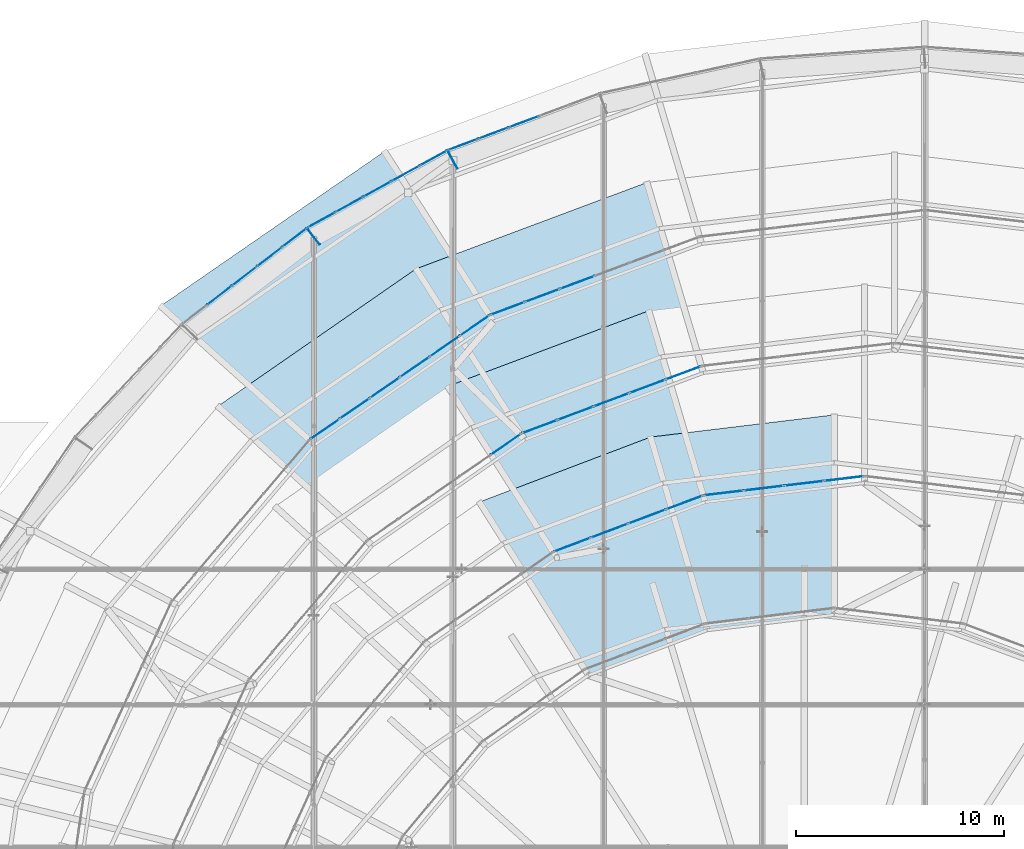
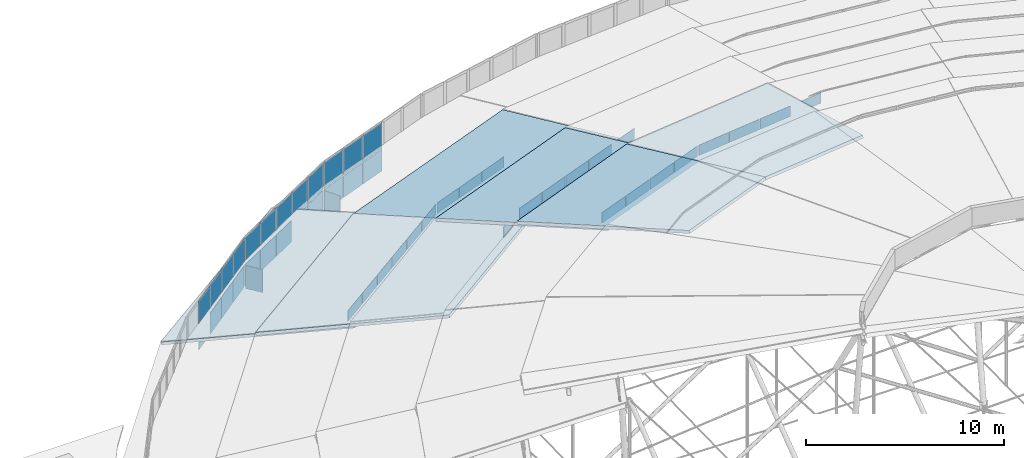
# One storey, part 156 of 173: 49 plates, 6 slabs, 13 elements without a shape of their own.
"""IFC4 building model written with IfcOpenShell, lengths in metres."""

from ifc_helpers import new_model, si_unit, direction, frame, origin, origin_2d, place, context, subcontext, project, spatial, polyline, rectangle, outline, extrude, material, layer, layer_set, type_object, element, aggregate, save


model = new_model("IFC4")

# Units and contexts
model_context = context("Model", 3, precision=1e-05, world=origin(), true_north=direction((0.0, 1.0)))
body_context = subcontext(model_context, "Body", "Model", "MODEL_VIEW")
ifc_project = project(units=[si_unit("LENGTHUNIT", "METRE"), si_unit("AREAUNIT", "SQUARE_METRE"), si_unit("VOLUMEUNIT", "CUBIC_METRE"), si_unit("PLANEANGLEUNIT", "RADIAN"), si_unit("MASSUNIT", "GRAM", prefix="KILO")], contexts=[model_context])

# Site, building, storey
site_placement = place(None, origin())
site = spatial("IfcSite", under=ifc_project, at=site_placement, CompositionType="ELEMENT")
building_placement = place(site_placement, origin())
building = spatial("IfcBuilding", under=site, at=building_placement, Name="Glasvene Arena", CompositionType="ELEMENT")
storey_placement = place(building_placement, frame((0.0, 0.0, 28.800048828125)))
storey = spatial("IfcBuildingStorey", under=building, at=storey_placement, Name="RF", CompositionType="ELEMENT", Elevation=28.800048828125)

# Curtain wall, plates
ifc_material_1 = material(Name="Low-emissivity laminated double glazing", Category="glass")
curtain_wall_type_1 = type_object("IfcCurtainWallType", Name="CW-PET1-1077x75", PredefinedType="USERDEFINED", material=ifc_material_1)
curtain_wall_1_placement = place(storey_placement, frame((81.16845703125, 109.415283203125, 0.0)))
curtain_wall_1 = element("IfcCurtainWall", 1, at=curtain_wall_1_placement, inside=storey, type_object=curtain_wall_type_1, Name="Petal ring 1-2 clerestory curtain wall 08", ObjectType="CURTAIN WALL", PredefinedType="USERDEFINED")
ifc_layer_1 = layer(ifc_material_1, 0.028076171875)
ifc_layer_set_1 = layer_set([ifc_layer_1], Name="Low-emissivity laminated double glazing")
plate_type_1 = type_object("IfcPlateType", Name="CW-GLZ-28", PredefinedType="CURTAIN_PANEL", material=ifc_layer_set_1)
plate_1_placement = place(storey_placement, frame((75.280517578125, 107.218505859375, 2.6298828125), z_axis=(0.0, 0.0, 1.0), x_axis=(-0.936902411354, -0.349591006176, 0.0)))
plate_1 = element("IfcPlate", 2, at=plate_1_placement, type_object=plate_type_1, Name="CW-085 panel 4.1", PredefinedType="CURTAIN_PANEL", context=body_context, shape_type="SweptSolid", body=[
    extrude(rectangle(XDim=1.74560546875, YDim=0.028076171875, at=origin_2d()), origin(), (0.0, 0.0, 1.0), 0.64990234375),
])
plate_2_placement = place(storey_placement, frame((73.598388671875, 106.5908203125, 2.6298828125), z_axis=(0.0, 0.0, 1.0), x_axis=(-0.936902411354, -0.349591006176, 0.0)))
plate_2 = element("IfcPlate", 3, at=plate_2_placement, type_object=plate_type_1, Name="CW-085 panel 5.1", PredefinedType="CURTAIN_PANEL", context=body_context, shape_type="SweptSolid", body=[
    extrude(rectangle(XDim=1.74560546875, YDim=0.028076171875, at=origin_2d()), origin(), (0.0, 0.0, 1.0), 0.64990234375),
])
plate_3_placement = place(storey_placement, frame((71.927734375, 105.967529296875, 2.6298828125), z_axis=(0.0, 0.0, 1.0), x_axis=(-0.936902411354, -0.349591006176, 0.0)))
plate_3 = element("IfcPlate", 4, at=plate_3_placement, type_object=plate_type_1, Name="CW-085 panel 6.1", PredefinedType="CURTAIN_PANEL", context=body_context, shape_type="SweptSolid", body=[
    extrude(rectangle(XDim=1.720458984375, YDim=0.028076171875, at=origin_2d()), origin(), (0.0, 0.0, 1.0), 0.64990234375),
])
aggregate(curtain_wall_1, [plate_1, plate_2, plate_3])

curtain_wall_type_2 = type_object("IfcCurtainWallType", Name="CW-PET1-1054x75", PredefinedType="USERDEFINED", material=ifc_material_1)
curtain_wall_2_placement = place(storey_placement, frame((71.074951171875, 105.649169921875, 0.0)))
curtain_wall_2 = element("IfcCurtainWall", 5, at=curtain_wall_2_placement, inside=storey, type_object=curtain_wall_type_2, Name="Petal ring 1-2 clerestory curtain wall 09", ObjectType="CURTAIN WALL", PredefinedType="USERDEFINED")
plate_4_placement = place(storey_placement, frame((70.342529296875, 105.142822265625, 2.6298828125), z_axis=(0.0, 0.0, 1.0), x_axis=(-0.822600954666, -0.568619089886, 0.0)))
plate_4 = element("IfcPlate", 6, at=plate_4_placement, type_object=plate_type_1, Name="CW-084 panel 1.1", PredefinedType="CURTAIN_PANEL", context=body_context, shape_type="SweptSolid", body=[
    extrude(rectangle(XDim=1.68115234375, YDim=0.028076171875, at=origin_2d()), origin(), (0.0, 0.0, 1.0), 0.64990234375),
])
plate_5_placement = place(storey_placement, frame((68.908203125, 104.1513671875, 2.6298828125), z_axis=(0.0, 0.0, 1.0), x_axis=(-0.822600954666, -0.568619089886, 0.0)))
plate_5 = element("IfcPlate", 7, at=plate_5_placement, type_object=plate_type_1, Name="CW-084 panel 2.1", PredefinedType="CURTAIN_PANEL", context=body_context, shape_type="SweptSolid", body=[
    extrude(rectangle(XDim=1.7060546875, YDim=0.028076171875, at=origin_2d()), origin(), (0.0, 0.0, 1.0), 0.64990234375),
])
plate_6_placement = place(storey_placement, frame((67.463623046875, 103.15283203125, 2.6298828125), z_axis=(0.0, 0.0, 1.0), x_axis=(-0.822600954666, -0.568619089886, 0.0)))
plate_6 = element("IfcPlate", 8, at=plate_6_placement, type_object=plate_type_1, Name="CW-084 panel 3.1", PredefinedType="CURTAIN_PANEL", context=body_context, shape_type="SweptSolid", body=[
    extrude(rectangle(XDim=1.7060546875, YDim=0.028076171875, at=origin_2d()), origin(), (0.0, 0.0, 1.0), 0.64990234375),
])
plate_7_placement = place(storey_placement, frame((66.01904296875, 102.154296875, 2.6298828125), z_axis=(0.0, 0.0, 1.0), x_axis=(-0.822600954666, -0.568619089886, 0.0)))
plate_7 = element("IfcPlate", 9, at=plate_7_placement, type_object=plate_type_1, Name="CW-084 panel 4.1", PredefinedType="CURTAIN_PANEL", context=body_context, shape_type="SweptSolid", body=[
    extrude(rectangle(XDim=1.7060546875, YDim=0.028076171875, at=origin_2d()), origin(), (0.0, 0.0, 1.0), 0.64990234375),
])
plate_8_placement = place(storey_placement, frame((64.574462890625, 101.15576171875, 2.6298828125), z_axis=(0.0, 0.0, 1.0), x_axis=(-0.822600954666, -0.568619089886, 0.0)))
plate_8 = element("IfcPlate", 10, at=plate_8_placement, type_object=plate_type_1, Name="CW-084 panel 5.1", PredefinedType="CURTAIN_PANEL", context=body_context, shape_type="SweptSolid", body=[
    extrude(rectangle(XDim=1.7060546875, YDim=0.028076171875, at=origin_2d()), origin(), (0.0, 0.0, 1.0), 0.64990234375),
])
plate_9_placement = place(storey_placement, frame((63.14013671875, 100.164306640625, 2.6298828125), z_axis=(0.0, 0.0, 1.0), x_axis=(-0.822600954666, -0.568619089886, 0.0)))
plate_9 = element("IfcPlate", 11, at=plate_9_placement, type_object=plate_type_1, Name="CW-084 panel 6.1", PredefinedType="CURTAIN_PANEL", context=body_context, shape_type="SweptSolid", body=[
    extrude(rectangle(XDim=1.68115234375, YDim=0.028076171875, at=origin_2d()), origin(), (0.0, 0.0, 1.0), 0.64990234375),
])
aggregate(curtain_wall_2, [plate_4, plate_5, plate_6, plate_7, plate_8, plate_9])

curtain_wall_type_3 = type_object("IfcCurtainWallType", Name="CW-PET2-925x75", PredefinedType="USERDEFINED", material=ifc_material_1)
curtain_wall_3_placement = place(storey_placement, frame((81.25830078125, 103.1943359375, 0.0)))
curtain_wall_3 = element("IfcCurtainWall", 12, at=curtain_wall_3_placement, inside=storey, type_object=curtain_wall_type_3, Name="Petal ring 2-3 clerestory curtain wall 08", ObjectType="CURTAIN WALL", PredefinedType="USERDEFINED")
plate_10_placement = place(storey_placement, frame((80.380859375, 102.86572265625, 5.22998046875), z_axis=(0.0, 0.0, 1.0), x_axis=(-0.936510409342, -0.350639776971, 0.0)))
plate_10 = element("IfcPlate", 13, at=plate_10_placement, type_object=plate_type_1, Name="CW-091 panel 1.1", PredefinedType="CURTAIN_PANEL", context=body_context, shape_type="SweptSolid", body=[
    extrude(rectangle(XDim=1.774169921875, YDim=0.028076171875, at=origin_2d()), origin(), (0.0, 0.0, 1.0), 0.64990234375),
])
plate_11_placement = place(storey_placement, frame((78.660888671875, 102.2216796875, 5.22998046875), z_axis=(0.0, 0.0, 1.0), x_axis=(-0.936510409342, -0.350639776971, 0.0)))
plate_11 = element("IfcPlate", 14, at=plate_11_placement, type_object=plate_type_1, Name="CW-091 panel 2.1", PredefinedType="CURTAIN_PANEL", context=body_context, shape_type="SweptSolid", body=[
    extrude(rectangle(XDim=1.799072265625, YDim=0.028076171875, at=origin_2d()), origin(), (0.0, 0.0, 1.0), 0.64990234375),
])
plate_12_placement = place(storey_placement, frame((76.92919921875, 101.573486328125, 5.22998046875), z_axis=(0.0, 0.0, 1.0), x_axis=(-0.936510409342, -0.350639776971, 0.0)))
plate_12 = element("IfcPlate", 15, at=plate_12_placement, type_object=plate_type_1, Name="CW-091 panel 3.1", PredefinedType="CURTAIN_PANEL", context=body_context, shape_type="SweptSolid", body=[
    extrude(rectangle(XDim=1.799072265625, YDim=0.028076171875, at=origin_2d()), origin(), (0.0, 0.0, 1.0), 0.64990234375),
])
plate_13_placement = place(storey_placement, frame((75.197509765625, 100.925048828125, 5.22998046875), z_axis=(0.0, 0.0, 1.0), x_axis=(-0.936510409342, -0.350639776971, 0.0)))
plate_13 = element("IfcPlate", 16, at=plate_13_placement, type_object=plate_type_1, Name="CW-091 panel 4.1", PredefinedType="CURTAIN_PANEL", context=body_context, shape_type="SweptSolid", body=[
    extrude(rectangle(XDim=1.799072265625, YDim=0.028076171875, at=origin_2d()), origin(), (0.0, 0.0, 1.0), 0.64990234375),
])
plate_14_placement = place(storey_placement, frame((73.4775390625, 100.281005859375, 5.22998046875), z_axis=(0.0, 0.0, 1.0), x_axis=(-0.936510409342, -0.350639776971, 0.0)))
plate_14 = element("IfcPlate", 17, at=plate_14_placement, type_object=plate_type_1, Name="CW-091 panel 5.1", PredefinedType="CURTAIN_PANEL", context=body_context, shape_type="SweptSolid", body=[
    extrude(rectangle(XDim=1.774169921875, YDim=0.028076171875, at=origin_2d()), origin(), (0.0, 0.0, 1.0), 0.64990234375),
])
aggregate(curtain_wall_3, [plate_10, plate_11, plate_12, plate_13, plate_14])

# Curtain wall, plate
curtain_wall_type_4 = type_object("IfcCurtainWallType", Name="CW-PET2-905x75", PredefinedType="USERDEFINED", material=ifc_material_1)
curtain_wall_4_placement = place(storey_placement, frame((72.60009765625, 99.952392578125, 0.0)))
curtain_wall_4 = element("IfcCurtainWall", 18, at=curtain_wall_4_placement, inside=storey, type_object=curtain_wall_type_4, Name="Petal ring 2-3 clerestory curtain wall 09", ObjectType="CURTAIN WALL", PredefinedType="USERDEFINED")
plate_15_placement = place(storey_placement, frame((71.84619140625, 99.4296875, 5.22998046875), z_axis=(0.0, 0.0, 1.0), x_axis=(-0.821699335018, -0.569921225109, 0.0)))
plate_15 = element("IfcPlate", 19, at=plate_15_placement, type_object=plate_type_1, Name="CW-090 panel 1.1", PredefinedType="CURTAIN_PANEL", context=body_context, shape_type="SweptSolid", body=[
    extrude(rectangle(XDim=1.734619140625, YDim=0.028076171875, at=origin_2d()), origin(), (0.0, 0.0, 1.0), 0.64990234375),
])
aggregate(curtain_wall_4, [plate_15])

# Curtain wall, plates
curtain_wall_type_5 = type_object("IfcCurtainWallType", Name="CW-PET3-781x75", PredefinedType="USERDEFINED", material=ifc_material_1)
curtain_wall_5_placement = place(storey_placement, frame((89.10009765625, 97.89990234375, 0.0)))
curtain_wall_5 = element("IfcCurtainWall", 20, at=curtain_wall_5_placement, inside=storey, type_object=curtain_wall_type_5, Name="Petal ring 3-4 clerestory curtain wall 07", ObjectType="CURTAIN WALL", PredefinedType="USERDEFINED")
plate_16_placement = place(storey_placement, frame((88.11865234375, 97.78271484375, 7.8798828125), z_axis=(0.0, 0.0, 1.0), x_axis=(-0.992928145056, -0.11871688488, 0.0)))
plate_16 = element("IfcPlate", 21, at=plate_16_placement, type_object=plate_type_1, Name="CW-098 panel 1.1", PredefinedType="CURTAIN_PANEL", context=body_context, shape_type="SweptSolid", body=[
    extrude(rectangle(XDim=1.876708984375, YDim=0.028076171875, at=origin_2d()), origin(), (0.0, 0.0, 1.0), 0.64990234375),
])
plate_17_placement = place(storey_placement, frame((86.193115234375, 97.552490234375, 7.8798828125), z_axis=(0.0, 0.0, 1.0), x_axis=(-0.992928145056, -0.11871688488, 0.0)))
plate_17 = element("IfcPlate", 22, at=plate_17_placement, type_object=plate_type_1, Name="CW-098 panel 2.1", PredefinedType="CURTAIN_PANEL", context=body_context, shape_type="SweptSolid", body=[
    extrude(rectangle(XDim=1.901611328125, YDim=0.028076171875, at=origin_2d()), origin(), (0.0, 0.0, 1.0), 0.64990234375),
])
plate_18_placement = place(storey_placement, frame((84.25537109375, 97.32080078125, 7.8798828125), z_axis=(0.0, 0.0, 1.0), x_axis=(-0.992928145056, -0.11871688488, 0.0)))
plate_18 = element("IfcPlate", 23, at=plate_18_placement, type_object=plate_type_1, Name="CW-098 panel 3.1", PredefinedType="CURTAIN_PANEL", context=body_context, shape_type="SweptSolid", body=[
    extrude(rectangle(XDim=1.901611328125, YDim=0.028076171875, at=origin_2d()), origin(), (0.0, 0.0, 1.0), 0.64990234375),
])
plate_19_placement = place(storey_placement, frame((82.329833984375, 97.090576171875, 7.8798828125), z_axis=(0.0, 0.0, 1.0), x_axis=(-0.992928145056, -0.11871688488, 0.0)))
plate_19 = element("IfcPlate", 24, at=plate_19_placement, type_object=plate_type_1, Name="CW-098 panel 4.1", PredefinedType="CURTAIN_PANEL", context=body_context, shape_type="SweptSolid", body=[
    extrude(rectangle(XDim=1.876708984375, YDim=0.028076171875, at=origin_2d()), origin(), (0.0, 0.0, 1.0), 0.64990234375),
])
aggregate(curtain_wall_5, [plate_16, plate_17, plate_18, plate_19])

curtain_wall_type_6 = type_object("IfcCurtainWallType", Name="CW-PET3-772x75", PredefinedType="USERDEFINED", material=ifc_material_1)
curtain_wall_6_placement = place(storey_placement, frame((81.348388671875, 96.97314453125, 0.0)))
curtain_wall_6 = element("IfcCurtainWall", 25, at=curtain_wall_6_placement, inside=storey, type_object=curtain_wall_type_6, Name="Petal ring 3-4 clerestory curtain wall 08", ObjectType="CURTAIN WALL", PredefinedType="USERDEFINED")
plate_20_placement = place(storey_placement, frame((80.433837890625, 96.629150390625, 7.8798828125), z_axis=(0.0, 0.0, 1.0), x_axis=(-0.93596551429, -0.352091687007, 0.0)))
plate_20 = element("IfcPlate", 26, at=plate_20_placement, type_object=plate_type_1, Name="CW-097 panel 1.1", PredefinedType="CURTAIN_PANEL", context=body_context, shape_type="SweptSolid", body=[
    extrude(rectangle(XDim=1.8544921875, YDim=0.028076171875, at=origin_2d()), origin(), (0.0, 0.0, 1.0), 0.64990234375),
])
plate_21_placement = place(storey_placement, frame((78.6396484375, 95.9541015625, 7.8798828125), z_axis=(0.0, 0.0, 1.0), x_axis=(-0.93596551429, -0.352091687007, 0.0)))
plate_21 = element("IfcPlate", 27, at=plate_21_placement, type_object=plate_type_1, Name="CW-097 panel 2.1", PredefinedType="CURTAIN_PANEL", context=body_context, shape_type="SweptSolid", body=[
    extrude(rectangle(XDim=1.87939453125, YDim=0.028076171875, at=origin_2d()), origin(), (0.0, 0.0, 1.0), 0.64990234375),
])
plate_22_placement = place(storey_placement, frame((76.833740234375, 95.27490234375, 7.8798828125), z_axis=(0.0, 0.0, 1.0), x_axis=(-0.93596551429, -0.352091687007, 0.0)))
plate_22 = element("IfcPlate", 28, at=plate_22_placement, type_object=plate_type_1, Name="CW-097 panel 3.1", PredefinedType="CURTAIN_PANEL", context=body_context, shape_type="SweptSolid", body=[
    extrude(rectangle(XDim=1.87939453125, YDim=0.028076171875, at=origin_2d()), origin(), (0.0, 0.0, 1.0), 0.64990234375),
])
plate_23_placement = place(storey_placement, frame((75.03955078125, 94.599853515625, 7.8798828125), z_axis=(0.0, 0.0, 1.0), x_axis=(-0.93596551429, -0.352091687007, 0.0)))
plate_23 = element("IfcPlate", 29, at=plate_23_placement, type_object=plate_type_1, Name="CW-097 panel 4.1", PredefinedType="CURTAIN_PANEL", context=body_context, shape_type="SweptSolid", body=[
    extrude(rectangle(XDim=1.8544921875, YDim=0.028076171875, at=origin_2d()), origin(), (0.0, 0.0, 1.0), 0.64990234375),
])
aggregate(curtain_wall_6, [plate_20, plate_21, plate_22, plate_23])

curtain_wall_type_7 = type_object("IfcCurtainWallType", Name="CW-DRUM-782x310", PredefinedType="USERDEFINED", material=ifc_material_1)
curtain_wall_7_placement = place(storey_placement, frame((76.379150390625, 116.320556640625, 0.0)))
curtain_wall_7 = element("IfcCurtainWall", 30, at=curtain_wall_7_placement, inside=storey, type_object=curtain_wall_type_7, Name="Crown compression-ring fascia curtain wall 13", ObjectType="CURTAIN WALL", PredefinedType="USERDEFINED")
ifc_material_2 = material(Name="Insulated shadow-box spandrel panel")
ifc_layer_2 = layer(ifc_material_2, 0.02392578125)
ifc_layer_set_2 = layer_set([ifc_layer_2], Name="Insulated shadow-box spandrel panel")
plate_type_2 = type_object("IfcPlateType", Name="CW-SPN-24", PredefinedType="CURTAIN_PANEL", material=ifc_layer_set_2)
plate_24_placement = place(storey_placement, frame((72.715087890625, 114.952880859375, -1.330078125), z_axis=(0.0, 0.0, 1.0), x_axis=(-0.936868153311, -0.349682803856, 0.0)))
plate_24 = element("IfcPlate", 31, at=plate_24_placement, type_object=plate_type_2, Name="CW-078 panel 3.1", PredefinedType="CURTAIN_PANEL", context=body_context, shape_type="SweptSolid", body=[
    extrude(rectangle(XDim=1.514404296875, YDim=0.02392578125, at=origin_2d()), origin(), (0.0, 0.0, 1.0), 1.324951171875),
])
plate_25_placement = place(storey_placement, frame((72.715087890625, 114.952880859375, 0.044921875), z_axis=(0.0, 0.0, 1.0), x_axis=(-0.936868153311, -0.349682803856, 0.0)))
plate_25 = element("IfcPlate", 32, at=plate_25_placement, type_object=plate_type_2, Name="CW-078 panel 3.2", PredefinedType="CURTAIN_PANEL", context=body_context, shape_type="SweptSolid", body=[
    extrude(rectangle(XDim=1.514404296875, YDim=0.02392578125, at=origin_2d()), origin(), (0.0, 0.0, 1.0), 1.625),
])
plate_26_placement = place(storey_placement, frame((71.249267578125, 114.406005859375, -1.330078125), z_axis=(0.0, 0.0, 1.0), x_axis=(-0.936868153311, -0.349682803856, 0.0)))
plate_26 = element("IfcPlate", 33, at=plate_26_placement, type_object=plate_type_2, Name="CW-078 panel 4.1", PredefinedType="CURTAIN_PANEL", context=body_context, shape_type="SweptSolid", body=[
    extrude(rectangle(XDim=1.514404296875, YDim=0.02392578125, at=origin_2d()), origin(), (0.0, 0.0, 1.0), 1.324951171875),
])
plate_27_placement = place(storey_placement, frame((71.249267578125, 114.406005859375, 0.044921875), z_axis=(0.0, 0.0, 1.0), x_axis=(-0.936868153311, -0.349682803856, 0.0)))
plate_27 = element("IfcPlate", 34, at=plate_27_placement, type_object=plate_type_2, Name="CW-078 panel 4.2", PredefinedType="CURTAIN_PANEL", context=body_context, shape_type="SweptSolid", body=[
    extrude(rectangle(XDim=1.514404296875, YDim=0.02392578125, at=origin_2d()), origin(), (0.0, 0.0, 1.0), 1.625),
])
plate_28_placement = place(storey_placement, frame((69.79541015625, 113.86328125, -1.330078125), z_axis=(0.0, 0.0, 1.0), x_axis=(-0.936868153311, -0.349682803856, 0.0)))
plate_28 = element("IfcPlate", 35, at=plate_28_placement, type_object=plate_type_2, Name="CW-078 panel 5.1", PredefinedType="CURTAIN_PANEL", context=body_context, shape_type="SweptSolid", body=[
    extrude(rectangle(XDim=1.489501953125, YDim=0.02392578125, at=origin_2d()), origin(), (0.0, 0.0, 1.0), 1.324951171875),
])
plate_29_placement = place(storey_placement, frame((69.79541015625, 113.86328125, 0.044921875), z_axis=(0.0, 0.0, 1.0), x_axis=(-0.936868153311, -0.349682803856, 0.0)))
plate_29 = element("IfcPlate", 36, at=plate_29_placement, type_object=plate_type_2, Name="CW-078 panel 5.2", PredefinedType="CURTAIN_PANEL", context=body_context, shape_type="SweptSolid", body=[
    extrude(rectangle(XDim=1.489501953125, YDim=0.02392578125, at=origin_2d()), origin(), (0.0, 0.0, 1.0), 1.625),
])
aggregate(curtain_wall_7, [plate_24, plate_25, plate_26, plate_27, plate_28, plate_29])

curtain_wall_type_8 = type_object("IfcCurtainWallType", Name="CW-DRUM-773x310", PredefinedType="USERDEFINED", material=ifc_material_1)
curtain_wall_8_placement = place(storey_placement, frame((69.05078125, 113.585205078125, 0.0)))
curtain_wall_8 = element("IfcCurtainWall", 37, at=curtain_wall_8_placement, inside=storey, type_object=curtain_wall_type_8, Name="Crown compression-ring fascia curtain wall 14", ObjectType="CURTAIN WALL", PredefinedType="USERDEFINED")
plate_30_placement = place(storey_placement, frame((68.363525390625, 113.205810546875, -1.330078125), z_axis=(0.0, 0.0, 1.0), x_axis=(-0.875406591103, -0.483387319086, 0.0)))
plate_30 = element("IfcPlate", 38, at=plate_30_placement, type_object=plate_type_2, Name="CW-077 panel 1.1", PredefinedType="CURTAIN_PANEL", context=body_context, shape_type="SweptSolid", body=[
    extrude(rectangle(XDim=1.47021484375, YDim=0.02392578125, at=origin_2d()), origin(), (0.0, 0.0, 1.0), 1.324951171875),
])
plate_31_placement = place(storey_placement, frame((68.363525390625, 113.205810546875, 0.044921875), z_axis=(0.0, 0.0, 1.0), x_axis=(-0.875406591103, -0.483387319086, 0.0)))
plate_31 = element("IfcPlate", 39, at=plate_31_placement, type_object=plate_type_2, Name="CW-077 panel 1.2", PredefinedType="CURTAIN_PANEL", context=body_context, shape_type="SweptSolid", body=[
    extrude(rectangle(XDim=1.47021484375, YDim=0.02392578125, at=origin_2d()), origin(), (0.0, 0.0, 1.0), 1.625),
])
plate_32_placement = place(storey_placement, frame((67.021728515625, 112.46484375, -1.330078125), z_axis=(0.0, 0.0, 1.0), x_axis=(-0.875406591103, -0.483387319086, 0.0)))
plate_32 = element("IfcPlate", 40, at=plate_32_placement, type_object=plate_type_2, Name="CW-077 panel 2.1", PredefinedType="CURTAIN_PANEL", context=body_context, shape_type="SweptSolid", body=[
    extrude(rectangle(XDim=1.4951171875, YDim=0.02392578125, at=origin_2d()), origin(), (0.0, 0.0, 1.0), 1.324951171875),
])
plate_33_placement = place(storey_placement, frame((67.021728515625, 112.46484375, 0.044921875), z_axis=(0.0, 0.0, 1.0), x_axis=(-0.875406591103, -0.483387319086, 0.0)))
plate_33 = element("IfcPlate", 41, at=plate_33_placement, type_object=plate_type_2, Name="CW-077 panel 2.2", PredefinedType="CURTAIN_PANEL", context=body_context, shape_type="SweptSolid", body=[
    extrude(rectangle(XDim=1.4951171875, YDim=0.02392578125, at=origin_2d()), origin(), (0.0, 0.0, 1.0), 1.625),
])
plate_34_placement = place(storey_placement, frame((65.669189453125, 111.718017578125, -1.330078125), z_axis=(0.0, 0.0, 1.0), x_axis=(-0.875406591103, -0.483387319086, 0.0)))
plate_34 = element("IfcPlate", 42, at=plate_34_placement, type_object=plate_type_2, Name="CW-077 panel 3.1", PredefinedType="CURTAIN_PANEL", context=body_context, shape_type="SweptSolid", body=[
    extrude(rectangle(XDim=1.4951171875, YDim=0.02392578125, at=origin_2d()), origin(), (0.0, 0.0, 1.0), 1.324951171875),
])
plate_35_placement = place(storey_placement, frame((65.669189453125, 111.718017578125, 0.044921875), z_axis=(0.0, 0.0, 1.0), x_axis=(-0.875406591103, -0.483387319086, 0.0)))
plate_35 = element("IfcPlate", 43, at=plate_35_placement, type_object=plate_type_2, Name="CW-077 panel 3.2", PredefinedType="CURTAIN_PANEL", context=body_context, shape_type="SweptSolid", body=[
    extrude(rectangle(XDim=1.4951171875, YDim=0.02392578125, at=origin_2d()), origin(), (0.0, 0.0, 1.0), 1.625),
])
plate_36_placement = place(storey_placement, frame((64.31640625, 110.97119140625, -1.330078125), z_axis=(0.0, 0.0, 1.0), x_axis=(-0.875406591103, -0.483387319086, 0.0)))
plate_36 = element("IfcPlate", 44, at=plate_36_placement, type_object=plate_type_2, Name="CW-077 panel 4.1", PredefinedType="CURTAIN_PANEL", context=body_context, shape_type="SweptSolid", body=[
    extrude(rectangle(XDim=1.4951171875, YDim=0.02392578125, at=origin_2d()), origin(), (0.0, 0.0, 1.0), 1.324951171875),
])
plate_37_placement = place(storey_placement, frame((64.31640625, 110.97119140625, 0.044921875), z_axis=(0.0, 0.0, 1.0), x_axis=(-0.875406591103, -0.483387319086, 0.0)))
plate_37 = element("IfcPlate", 45, at=plate_37_placement, type_object=plate_type_2, Name="CW-077 panel 4.2", PredefinedType="CURTAIN_PANEL", context=body_context, shape_type="SweptSolid", body=[
    extrude(rectangle(XDim=1.4951171875, YDim=0.02392578125, at=origin_2d()), origin(), (0.0, 0.0, 1.0), 1.625),
])
plate_38_placement = place(storey_placement, frame((62.974853515625, 110.230224609375, -1.330078125), z_axis=(0.0, 0.0, 1.0), x_axis=(-0.875406591103, -0.483387319086, 0.0)))
plate_38 = element("IfcPlate", 46, at=plate_38_placement, type_object=plate_type_2, Name="CW-077 panel 5.1", PredefinedType="CURTAIN_PANEL", context=body_context, shape_type="SweptSolid", body=[
    extrude(rectangle(XDim=1.47021484375, YDim=0.02392578125, at=origin_2d()), origin(), (0.0, 0.0, 1.0), 1.324951171875),
])
plate_39_placement = place(storey_placement, frame((62.974853515625, 110.230224609375, 0.044921875), z_axis=(0.0, 0.0, 1.0), x_axis=(-0.875406591103, -0.483387319086, 0.0)))
plate_39 = element("IfcPlate", 47, at=plate_39_placement, type_object=plate_type_2, Name="CW-077 panel 5.2", PredefinedType="CURTAIN_PANEL", context=body_context, shape_type="SweptSolid", body=[
    extrude(rectangle(XDim=1.47021484375, YDim=0.02392578125, at=origin_2d()), origin(), (0.0, 0.0, 1.0), 1.625),
])
aggregate(curtain_wall_8, [plate_30, plate_31, plate_32, plate_33, plate_34, plate_35, plate_36, plate_37, plate_38, plate_39])

curtain_wall_type_9 = type_object("IfcCurtainWallType", Name="CW-DRUM-761x310", PredefinedType="USERDEFINED", material=ifc_material_1)
curtain_wall_9_placement = place(storey_placement, frame((62.28759765625, 109.8505859375, 0.0)))
curtain_wall_9 = element("IfcCurtainWall", 48, at=curtain_wall_9_placement, inside=storey, type_object=curtain_wall_type_9, Name="Crown compression-ring fascia curtain wall 15", ObjectType="CURTAIN WALL", PredefinedType="USERDEFINED")
plate_40_placement = place(storey_placement, frame((61.67431640625, 109.37890625, -1.330078125), z_axis=(0.0, 0.0, 1.0), x_axis=(-0.792482324569, -0.609894880488, 0.0)))
plate_40 = element("IfcPlate", 49, at=plate_40_placement, type_object=plate_type_2, Name="CW-076 panel 1.1", PredefinedType="CURTAIN_PANEL", context=body_context, shape_type="SweptSolid", body=[
    extrude(rectangle(XDim=1.447265625, YDim=0.02392578125, at=origin_2d()), origin(), (0.0, 0.0, 1.0), 1.324951171875),
])
plate_41_placement = place(storey_placement, frame((61.67431640625, 109.37890625, 0.044921875), z_axis=(0.0, 0.0, 1.0), x_axis=(-0.792482324569, -0.609894880488, 0.0)))
plate_41 = element("IfcPlate", 50, at=plate_41_placement, type_object=plate_type_2, Name="CW-076 panel 1.2", PredefinedType="CURTAIN_PANEL", context=body_context, shape_type="SweptSolid", body=[
    extrude(rectangle(XDim=1.447265625, YDim=0.02392578125, at=origin_2d()), origin(), (0.0, 0.0, 1.0), 1.625),
])
plate_42_placement = place(storey_placement, frame((60.47802734375, 108.4580078125, -1.330078125), z_axis=(0.0, 0.0, 1.0), x_axis=(-0.792482324569, -0.609894880488, 0.0)))
plate_42 = element("IfcPlate", 51, at=plate_42_placement, type_object=plate_type_2, Name="CW-076 panel 2.1", PredefinedType="CURTAIN_PANEL", context=body_context, shape_type="SweptSolid", body=[
    extrude(rectangle(XDim=1.47216796875, YDim=0.02392578125, at=origin_2d()), origin(), (0.0, 0.0, 1.0), 1.324951171875),
])
plate_43_placement = place(storey_placement, frame((60.47802734375, 108.4580078125, 0.044921875), z_axis=(0.0, 0.0, 1.0), x_axis=(-0.792482324569, -0.609894880488, 0.0)))
plate_43 = element("IfcPlate", 52, at=plate_43_placement, type_object=plate_type_2, Name="CW-076 panel 2.2", PredefinedType="CURTAIN_PANEL", context=body_context, shape_type="SweptSolid", body=[
    extrude(rectangle(XDim=1.47216796875, YDim=0.02392578125, at=origin_2d()), origin(), (0.0, 0.0, 1.0), 1.625),
])
plate_44_placement = place(storey_placement, frame((59.271728515625, 107.52978515625, -1.330078125), z_axis=(0.0, 0.0, 1.0), x_axis=(-0.792482324569, -0.609894880488, 0.0)))
plate_44 = element("IfcPlate", 53, at=plate_44_placement, type_object=plate_type_2, Name="CW-076 panel 3.1", PredefinedType="CURTAIN_PANEL", context=body_context, shape_type="SweptSolid", body=[
    extrude(rectangle(XDim=1.47216796875, YDim=0.02392578125, at=origin_2d()), origin(), (0.0, 0.0, 1.0), 1.324951171875),
])
plate_45_placement = place(storey_placement, frame((59.271728515625, 107.52978515625, 0.044921875), z_axis=(0.0, 0.0, 1.0), x_axis=(-0.792482324569, -0.609894880488, 0.0)))
plate_45 = element("IfcPlate", 54, at=plate_45_placement, type_object=plate_type_2, Name="CW-076 panel 3.2", PredefinedType="CURTAIN_PANEL", context=body_context, shape_type="SweptSolid", body=[
    extrude(rectangle(XDim=1.47216796875, YDim=0.02392578125, at=origin_2d()), origin(), (0.0, 0.0, 1.0), 1.625),
])
plate_46_placement = place(storey_placement, frame((58.0654296875, 106.601318359375, -1.330078125), z_axis=(0.0, 0.0, 1.0), x_axis=(-0.792482324569, -0.609894880488, 0.0)))
plate_46 = element("IfcPlate", 55, at=plate_46_placement, type_object=plate_type_2, Name="CW-076 panel 4.1", PredefinedType="CURTAIN_PANEL", context=body_context, shape_type="SweptSolid", body=[
    extrude(rectangle(XDim=1.47216796875, YDim=0.02392578125, at=origin_2d()), origin(), (0.0, 0.0, 1.0), 1.324951171875),
])
plate_47_placement = place(storey_placement, frame((58.0654296875, 106.601318359375, 0.044921875), z_axis=(0.0, 0.0, 1.0), x_axis=(-0.792482324569, -0.609894880488, 0.0)))
plate_47 = element("IfcPlate", 56, at=plate_47_placement, type_object=plate_type_2, Name="CW-076 panel 4.2", PredefinedType="CURTAIN_PANEL", context=body_context, shape_type="SweptSolid", body=[
    extrude(rectangle(XDim=1.47216796875, YDim=0.02392578125, at=origin_2d()), origin(), (0.0, 0.0, 1.0), 1.625),
])
aggregate(curtain_wall_9, [plate_40, plate_41, plate_42, plate_43, plate_44, plate_45, plate_46, plate_47])

# Plates
ifc_material_3 = material(Name="Steel S355J2", Category="steel")
ifc_layer_3 = layer(ifc_material_3, 0.035888671875)
ifc_layer_set_3 = layer_set([ifc_layer_3], Name="Steel S355J2")
plate_type_3 = type_object("IfcPlateType", Name="PL-CAP-36", PredefinedType="SHEET", material=ifc_layer_set_3)
for number, where, z_axis, x_axis, name in (
    (57, (69.300537109375, 113.09521484375, -1.409912109375), (0.0, 0.0, 1.0), (-0.875633171036, -0.482976759048, 0.0), "Ring beam node diaphragm cap plate ND-14"),
    (58, (62.610595703125, 109.40576171875, -1.409912109375), (0.0, 0.0, 1.0), (-0.792821793707, -0.609453528518, 0.0), "Ring beam node diaphragm cap plate ND-15"),
):
    element("IfcPlate", number, at=place(storey_placement, frame(where, z_axis=z_axis, x_axis=x_axis)), inside=storey, type_object=plate_type_3, Name=name, PredefinedType="SHEET", context=body_context, shape_type="SweptSolid", body=[
        extrude(rectangle(XDim=0.035888671875, YDim=0.919921875, at=origin_2d()), origin(), (0.0, 0.0, 1.0), 1.419921875),
    ])

# Roof, slab
ifc_material_4 = material(Name="Smooth matte white insulated roof panel")
ifc_layer_4 = layer(ifc_material_4, 0.179931640625)
ifc_layer_set_4 = layer_set([ifc_layer_4], Name="Smooth matte white insulated roof panel")
roof_type = type_object("IfcRoofType", Name="RF-PETAL-ASSY", PredefinedType="PAVILION_ROOF", material=ifc_layer_set_4)
roof_1_placement = place(storey_placement, frame((92.0, 73.0, 0.0)))
roof_1 = element("IfcRoof", 59, at=roof_1_placement, inside=storey, type_object=roof_type, Name="Shifted white elliptical petal roof ring 1", PredefinedType="PAVILION_ROOF")
ifc_material_5 = material(Name="Precast concrete C50/60", Category="concrete")
ifc_layer_5 = layer(ifc_material_5, 0.179931640625)
ifc_layer_set_5 = layer_set([ifc_layer_5], Name="Precast concrete C50/60")
slab_type = type_object("IfcSlabType", Name="SL-PETAL-180", PredefinedType="ROOF", material=ifc_layer_set_5)
slab_1_placement = place(storey_placement, frame((66.0, 113.530029296875, 0.0), z_axis=(-0.141586340681, 0.205016773168, 0.968463438057), x_axis=(-0.822846991231, -0.568262992831, -4.6396e-07)))
slab_1 = element("IfcSlab", 60, at=slab_1_placement, type_object=slab_type, Name="White petal roof slab ring 1 bay 09", PredefinedType="ROOF", context=body_context, shape_type="SweptSolid", body=[
    extrude(outline(polyline([(0.0, 0.0), (13.088132395215418, 8.881784197001252e-16), (10.776060498855626, 10.033905998163355), (0.33062434870891233, 10.033862175654544), (0.0, 0.0)])), origin(), (0.0, 0.0, -1.0), 0.179931640625),
])
aggregate(roof_1, [slab_1])

# Roof, slabs
roof_2_placement = place(storey_placement, frame((90.550048828125, 71.85009765625, 2.550048828125)))
roof_2 = element("IfcRoof", 61, at=roof_2_placement, inside=storey, type_object=roof_type, Name="Shifted white elliptical petal roof ring 2", PredefinedType="PAVILION_ROOF")
slab_2_placement = place(storey_placement, frame((78.63134765625, 112.032470703125, 2.550048828125), z_axis=(-0.090546713201, 0.241990241175, 0.966044520664), x_axis=(-0.936582768499, -0.350446454899, 1.3541e-07)))
slab_2 = element("IfcSlab", 62, at=slab_2_placement, type_object=slab_type, Name="White petal roof slab ring 2 bay 08", PredefinedType="ROOF", context=body_context, shape_type="SweptSolid", body=[
    extrude(outline(polyline([(0.0, 0.0), (11.858477260701662, 0.0), (9.820195382873724, 9.868589446990704), (0.6654093248897408, 9.868600459628883), (0.0, 0.0)])), origin(), (0.0, 0.0, -1.0), 0.179931640625),
])
slab_3_placement = place(storey_placement, frame((67.52490234375, 107.876708984375, 2.550048828125), z_axis=(-0.144249231141, 0.208096117975, 0.967413130467), x_axis=(-0.821850712799, -0.569702910181, 1.685499e-06)))
slab_3 = element("IfcSlab", 63, at=slab_3_placement, type_object=slab_type, Name="White petal roof slab ring 2 bay 09", PredefinedType="ROOF", context=body_context, shape_type="SweptSolid", body=[
    extrude(outline(polyline([(0.0, 0.0), (11.604433923236574, 8.881784197001252e-16), (9.323573065054521, 10.070131339376394), (0.3651693589247922, 10.070268220143621), (0.0, 0.0)])), origin(), (0.0, 0.0, -1.0), 0.179931640625),
])
aggregate(roof_2, [slab_2, slab_3])

# Roof, slab
roof_3_placement = place(storey_placement, frame((89.10009765625, 70.699951171875, 5.14990234375)))
roof_3 = element("IfcRoof", 64, at=roof_3_placement, inside=storey, type_object=roof_type, Name="Shifted white elliptical petal roof ring 3", PredefinedType="PAVILION_ROOF")
slab_4_placement = place(storey_placement, frame((78.721435546875, 105.859619140625, 5.14990234375), z_axis=(-0.092239409946, 0.245322128002, 0.965043493717), x_axis=(-0.936027495849, -0.351926877353, -3.288409e-06)))
slab_4 = element("IfcSlab", 65, at=slab_4_placement, type_object=slab_type, Name="White petal roof slab ring 3 bay 08", PredefinedType="ROOF", context=body_context, shape_type="SweptSolid", body=[
    extrude(outline(polyline([(0.0, 0.0), (10.332371125943943, 4.440892098500626e-16), (8.323161514371199, 9.920741586952598), (0.6962533057229714, 9.920516254065443), (0.0, 0.0)])), origin(), (0.0, 0.0, -1.0), 0.179931640625),
])
aggregate(roof_3, [slab_4])

# Roof, slabs
roof_4_placement = place(storey_placement, frame((87.64990234375, 69.550048828125, 7.800048828125)))
roof_4 = element("IfcRoof", 66, at=roof_4_placement, inside=storey, type_object=roof_type, Name="Shifted white elliptical petal roof ring 4", PredefinedType="PAVILION_ROOF")
slab_5_placement = place(storey_placement, frame((87.64990234375, 100.85009765625, 7.800048828125), z_axis=(-0.032017883056, 0.265336189381, 0.963624180772), x_axis=(-0.992796778541, -0.119810502505, 2.917142e-06)))
slab_5 = element("IfcSlab", 67, at=slab_5_placement, type_object=slab_type, Name="White petal roof slab ring 4 bay 07", PredefinedType="ROOF", context=body_context, shape_type="SweptSolid", body=[
    extrude(outline(polyline([(0.0, 0.0), (8.902752406971905, -2.220446049250313e-16), (7.318522818011386, 9.914956042592019), (1.1530375637016803, 9.91512051174055), (0.0, 0.0)])), origin(), (0.0, 0.0, -1.0), 0.179931640625),
])
slab_6_placement = place(storey_placement, frame((78.811279296875, 99.783447265625, 7.800048828125), z_axis=(-0.093941822051, 0.247439067132, 0.964338551613), x_axis=(-0.934890958324, -0.354935058909, -5.8089e-07)))
slab_6 = element("IfcSlab", 68, at=slab_6_placement, type_object=slab_type, Name="White petal roof slab ring 4 bay 08", PredefinedType="ROOF", context=body_context, shape_type="SweptSolid", body=[
    extrude(outline(polyline([(0.0, 0.0), (8.809933985483951, 4.440892098500626e-16), (6.859864804133507, 10.012046622443773), (0.758758497527443, 10.012013896324662), (0.0, 0.0)])), origin(), (0.0, 0.0, -1.0), 0.179931640625),
])
aggregate(roof_4, [slab_5, slab_6])

save(model, "model.ifc")
